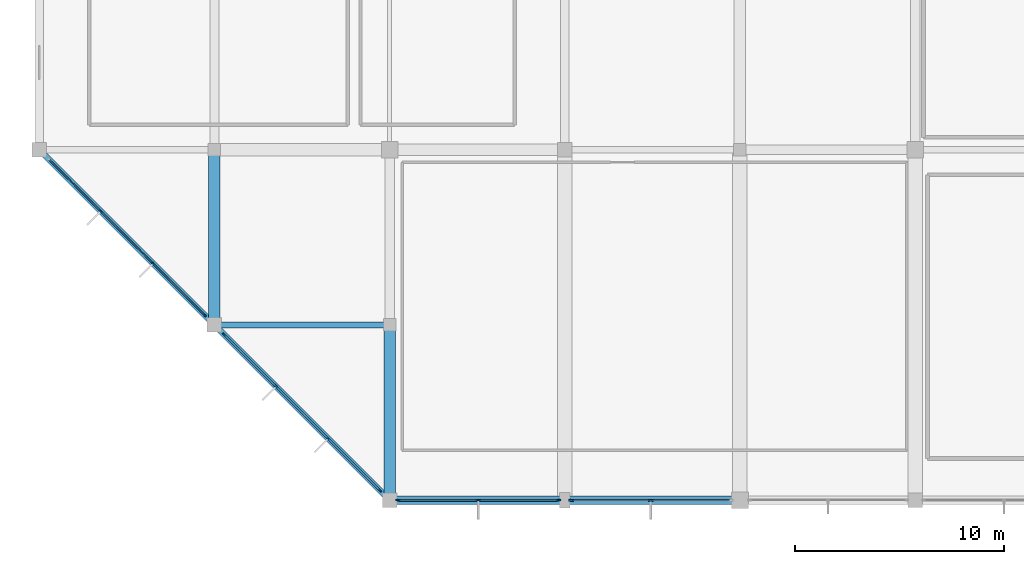
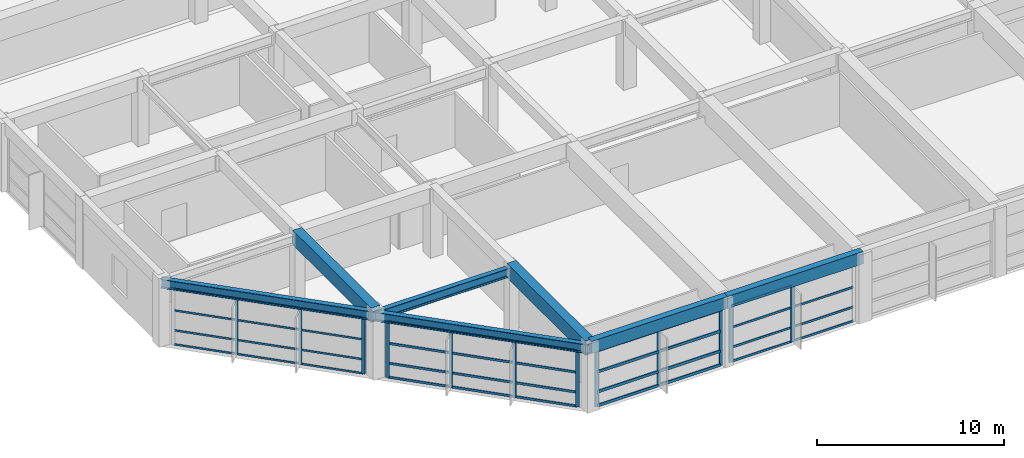
# One storey, part 8 of 65: 51 members, 7 beams, 4 elements without a shape of their own.
"""IFC4 building model written with IfcOpenShell, lengths in metres."""

from ifc_helpers import new_model, si_unit, direction, frame, origin, origin_2d, place, context, subcontext, project, spatial, rectangle, i_section, extrude, material, material_profile, profile_set, type_object, element, aggregate, save


model = new_model("IFC4")

# Units and contexts
model_context = context("Model", 3, precision=1e-05, world=origin(), true_north=direction((0.0, 1.0)))
body_context = subcontext(model_context, "Body", "Model", "MODEL_VIEW")
ifc_project = project(units=[si_unit("LENGTHUNIT", "METRE"), si_unit("AREAUNIT", "SQUARE_METRE"), si_unit("VOLUMEUNIT", "CUBIC_METRE"), si_unit("PLANEANGLEUNIT", "RADIAN"), si_unit("MASSUNIT", "GRAM", prefix="KILO")], contexts=[model_context])

# Site, building, storey
site_placement = place(None, origin())
site = spatial("IfcSite", under=ifc_project, at=site_placement, CompositionType="ELEMENT")
building_placement = place(site_placement, origin())
building = spatial("IfcBuilding", under=site, at=building_placement, Name="Xuanlan Plaza Opera House", CompositionType="ELEMENT")
storey_placement = place(building_placement, frame((0.0, 0.0, 5.39990234375)))
storey = spatial("IfcBuildingStorey", under=building, at=storey_placement, Name="L01", CompositionType="ELEMENT", Elevation=5.39990234375)

# Curtain wall, members
ifc_material_1 = material(Name="Anodised Aluminium 6063-T6 and Low-E Glass", Category="aluminium")
curtain_wall_type_1 = type_object("IfcCurtainWallType", Name="ENV-CW-CW-02", PredefinedType="USERDEFINED", material=ifc_material_1)
curtain_wall_1_placement = place(storey_placement, origin())
curtain_wall_1 = element("IfcCurtainWall", 1, at=curtain_wall_1_placement, inside=storey, type_object=curtain_wall_type_1, Name="Unitised Curtain Wall L01-059", ObjectType="UNITISED CURTAIN WALL", PredefinedType="USERDEFINED")
ifc_material_2 = material(Name="Anodised Aluminium 6063-T6", Category="aluminium")
ifc_material_profile_1 = material_profile(ifc_material_2, rectangle(XDim=0.070068359375, YDim=0.179931640625, at=origin_2d()), Name="ALU-M 70x180")
ifc_profile_set_1 = profile_set([ifc_material_profile_1], Name="Anodised Aluminium 6063-T6")
member_type_1 = type_object("IfcMemberType", Name="ENV-CWM-02", PredefinedType="MULLION", material=ifc_profile_set_1)
member_1_placement = place(storey_placement, frame((2.94970703125, 13.850341796875, 0.0), z_axis=(0.0, 0.0, 1.0), x_axis=(0.707106781187, 0.707106781187, 0.0)))
member_1 = element("IfcMember", 2, at=member_1_placement, type_object=member_type_1, Name="CW-02 mullion 2", PredefinedType="MULLION", context=body_context, shape_type="SweptSolid", body=[
    extrude(rectangle(XDim=0.070068359375, YDim=0.179931640625, at=origin_2d()), origin(), (0.0, 0.0, 1.0), 3.68017578125),
])
member_2_placement = place(storey_placement, frame((5.450439453125, 11.349609375, 0.0), z_axis=(0.0, 0.0, 1.0), x_axis=(0.707106781187, 0.707106781187, 0.0)))
member_2 = element("IfcMember", 3, at=member_2_placement, type_object=member_type_1, Name="CW-02 mullion 3", PredefinedType="MULLION", context=body_context, shape_type="SweptSolid", body=[
    extrude(rectangle(XDim=0.070068359375, YDim=0.179931640625, at=origin_2d()), origin(), (0.0, 0.0, 1.0), 3.68017578125),
])
member_3_placement = place(storey_placement, frame((7.92626953125, 8.873779296875, 0.0), z_axis=(0.0, 0.0, 1.0), x_axis=(0.707106781187, 0.707106781187, 0.0)))
member_3 = element("IfcMember", 4, at=member_3_placement, type_object=member_type_1, Name="CW-02 mullion 4", PredefinedType="MULLION", context=body_context, shape_type="SweptSolid", body=[
    extrude(rectangle(XDim=0.070068359375, YDim=0.179931640625, at=origin_2d()), origin(), (0.0, 0.0, 1.0), 3.68017578125),
])

curtain_wall_type_2 = type_object("IfcCurtainWallType", Name="ENV-CW-CW-03", PredefinedType="USERDEFINED", material=ifc_material_1)
curtain_wall_2_placement = place(storey_placement, origin())
curtain_wall_2 = element("IfcCurtainWall", 5, at=curtain_wall_2_placement, inside=storey, type_object=curtain_wall_type_2, Name="Unitised Curtain Wall L01-060", ObjectType="UNITISED CURTAIN WALL", PredefinedType="USERDEFINED")
ifc_material_profile_2 = material_profile(ifc_material_2, rectangle(XDim=0.074951171875, YDim=0.199951171875, at=origin_2d()), Name="ALU-M 75x200")
ifc_profile_set_2 = profile_set([ifc_material_profile_2], Name="Anodised Aluminium 6063-T6")
member_type_2 = type_object("IfcMemberType", Name="ENV-CWM-03", PredefinedType="MULLION", material=ifc_profile_set_2)
member_4_placement = place(storey_placement, frame((8.87548828125, 7.924560546875, 0.0), z_axis=(0.0, 0.0, 1.0), x_axis=(0.707106781187, 0.707106781187, 0.0)))
member_4 = element("IfcMember", 6, at=member_4_placement, type_object=member_type_2, Name="CW-03 mullion 1", PredefinedType="MULLION", context=body_context, shape_type="SweptSolid", body=[
    extrude(rectangle(XDim=0.074951171875, YDim=0.199951171875, at=origin_2d()), origin(), (0.0, 0.0, 1.0), 3.68017578125),
])
member_5_placement = place(storey_placement, frame((11.349609375, 5.450439453125, 0.0), z_axis=(0.0, 0.0, 1.0), x_axis=(0.707106781187, 0.707106781187, 0.0)))
member_5 = element("IfcMember", 7, at=member_5_placement, type_object=member_type_2, Name="CW-03 mullion 2", PredefinedType="MULLION", context=body_context, shape_type="SweptSolid", body=[
    extrude(rectangle(XDim=0.074951171875, YDim=0.199951171875, at=origin_2d()), origin(), (0.0, 0.0, 1.0), 3.68017578125),
])
member_6_placement = place(storey_placement, frame((13.850341796875, 2.94970703125, 0.0), z_axis=(0.0, 0.0, 1.0), x_axis=(0.707106781187, 0.707106781187, 0.0)))
member_6 = element("IfcMember", 8, at=member_6_placement, type_object=member_type_2, Name="CW-03 mullion 3", PredefinedType="MULLION", context=body_context, shape_type="SweptSolid", body=[
    extrude(rectangle(XDim=0.074951171875, YDim=0.199951171875, at=origin_2d()), origin(), (0.0, 0.0, 1.0), 3.68017578125),
])
member_7_placement = place(storey_placement, frame((16.324462890625, 0.4755859375, 0.0), z_axis=(0.0, 0.0, 1.0), x_axis=(0.707106781187, 0.707106781187, 0.0)))
member_7 = element("IfcMember", 9, at=member_7_placement, type_object=member_type_2, Name="CW-03 mullion 4", PredefinedType="MULLION", context=body_context, shape_type="SweptSolid", body=[
    extrude(rectangle(XDim=0.074951171875, YDim=0.199951171875, at=origin_2d()), origin(), (0.0, 0.0, 1.0), 3.68017578125),
])

curtain_wall_type_3 = type_object("IfcCurtainWallType", Name="ENV-CW-CW-04", PredefinedType="USERDEFINED", material=ifc_material_1)
curtain_wall_3_placement = place(storey_placement, origin())
curtain_wall_3 = element("IfcCurtainWall", 10, at=curtain_wall_3_placement, inside=storey, type_object=curtain_wall_type_3, Name="Unitised Curtain Wall L01-001", ObjectType="UNITISED CURTAIN WALL", PredefinedType="USERDEFINED")
ifc_material_profile_3 = material_profile(ifc_material_2, rectangle(XDim=0.080078125, YDim=0.219970703125, at=origin_2d()), Name="ALU-M 80x220")
ifc_profile_set_3 = profile_set([ifc_material_profile_3], Name="Anodised Aluminium 6063-T6")
member_type_3 = type_object("IfcMemberType", Name="ENV-CWM-04", PredefinedType="MULLION", material=ifc_profile_set_3)
member_8_placement = place(storey_placement, frame((17.2099609375, 0.0, 0.0), z_axis=(0.0, 0.0, 1.0), x_axis=(0.0, 1.0, 0.0)))
member_8 = element("IfcMember", 11, at=member_8_placement, type_object=member_type_3, Name="CW-04 mullion 1", PredefinedType="MULLION", context=body_context, shape_type="SweptSolid", body=[
    extrude(rectangle(XDim=0.080078125, YDim=0.219970703125, at=origin_2d()), origin(), (0.0, 0.0, 1.0), 3.68017578125),
])
member_9_placement = place(storey_placement, frame((21.050048828125, 0.0, 0.0), z_axis=(0.0, 0.0, 1.0), x_axis=(0.0, 1.0, 0.0)))
member_9 = element("IfcMember", 12, at=member_9_placement, type_object=member_type_3, Name="CW-04 mullion 2", PredefinedType="MULLION", context=body_context, shape_type="SweptSolid", body=[
    extrude(rectangle(XDim=0.080078125, YDim=0.219970703125, at=origin_2d()), origin(), (0.0, 0.0, 1.0), 3.68017578125),
])
member_10_placement = place(storey_placement, frame((24.889892578125, 0.0, 0.0), z_axis=(0.0, 0.0, 1.0), x_axis=(0.0, 1.0, 0.0)))
member_10 = element("IfcMember", 13, at=member_10_placement, type_object=member_type_3, Name="CW-04 mullion 3", PredefinedType="MULLION", context=body_context, shape_type="SweptSolid", body=[
    extrude(rectangle(XDim=0.080078125, YDim=0.219970703125, at=origin_2d()), origin(), (0.0, 0.0, 1.0), 3.68017578125),
])

curtain_wall_type_4 = type_object("IfcCurtainWallType", Name="ENV-CW-CW-01", PredefinedType="USERDEFINED", material=ifc_material_1)
curtain_wall_4_placement = place(storey_placement, origin())
curtain_wall_4 = element("IfcCurtainWall", 14, at=curtain_wall_4_placement, inside=storey, type_object=curtain_wall_type_4, Name="Unitised Curtain Wall L01-002", ObjectType="UNITISED CURTAIN WALL", PredefinedType="USERDEFINED")
ifc_material_profile_4 = material_profile(ifc_material_2, rectangle(XDim=0.090087890625, YDim=0.25, at=origin_2d()), Name="ALU-M 90x250")
ifc_profile_set_4 = profile_set([ifc_material_profile_4], Name="Anodised Aluminium 6063-T6")
member_type_4 = type_object("IfcMemberType", Name="ENV-CWM-05", PredefinedType="MULLION", material=ifc_profile_set_4)
member_11_placement = place(storey_placement, frame((25.514892578125, 0.0, 0.0), z_axis=(0.0, 0.0, 1.0), x_axis=(0.0, 1.0, 0.0)))
member_11 = element("IfcMember", 15, at=member_11_placement, type_object=member_type_4, Name="CW-01 mullion 1", PredefinedType="MULLION", context=body_context, shape_type="SweptSolid", body=[
    extrude(rectangle(XDim=0.090087890625, YDim=0.25, at=origin_2d()), origin(), (0.0, 0.0, 1.0), 3.68017578125),
])
member_12_placement = place(storey_placement, frame((29.324951171875, 0.0, 0.0), z_axis=(0.0, 0.0, 1.0), x_axis=(0.0, 1.0, 0.0)))
member_12 = element("IfcMember", 16, at=member_12_placement, type_object=member_type_4, Name="CW-01 mullion 2", PredefinedType="MULLION", context=body_context, shape_type="SweptSolid", body=[
    extrude(rectangle(XDim=0.090087890625, YDim=0.25, at=origin_2d()), origin(), (0.0, 0.0, 1.0), 3.68017578125),
])

# Member
ifc_material_profile_5 = material_profile(ifc_material_2, rectangle(XDim=0.06494140625, YDim=0.1201171875, at=origin_2d()), Name="ALU-T 65x120")
ifc_profile_set_5 = profile_set([ifc_material_profile_5], Name="Anodised Aluminium 6063-T6")
member_type_5 = type_object("IfcMemberType", Name="ENV-CWT-01", PredefinedType="USERDEFINED", material=ifc_profile_set_5)
member_13_placement = place(storey_placement, frame((0.49853515625, 16.301513671875, 0.03271484375), z_axis=(0.707071206172, -0.707142354412, 0.0), x_axis=(0.707142354412, 0.707071206172, 0.0)))
member_13 = element("IfcMember", 17, at=member_13_placement, type_object=member_type_5, Name="CW-02 transom 1.1", ObjectType="TRANSOM", PredefinedType="USERDEFINED", context=body_context, shape_type="SweptSolid", body=[
    extrude(rectangle(XDim=0.06494140625, YDim=0.1201171875, at=origin_2d()), origin(), (0.0, 0.0, 1.0), 3.431396484375),
])

member_14_placement = place(storey_placement, frame((0.49853515625, 16.301513671875, 0.9501953125), z_axis=(0.707071206172, -0.707142354412, 0.0), x_axis=(0.707142354412, 0.707071206172, 0.0)))
member_14 = element("IfcMember", 18, at=member_14_placement, type_object=member_type_5, Name="CW-02 transom 1.2", ObjectType="TRANSOM", PredefinedType="USERDEFINED", context=body_context, shape_type="SweptSolid", body=[
    extrude(rectangle(XDim=0.06494140625, YDim=0.1201171875, at=origin_2d()), origin(), (0.0, 0.0, 1.0), 3.431396484375),
])

member_15_placement = place(storey_placement, frame((0.49853515625, 16.301513671875, 2.25), z_axis=(0.707071206172, -0.707142354412, 0.0), x_axis=(0.707142354412, 0.707071206172, 0.0)))
member_15 = element("IfcMember", 19, at=member_15_placement, type_object=member_type_5, Name="CW-02 transom 1.3", ObjectType="TRANSOM", PredefinedType="USERDEFINED", context=body_context, shape_type="SweptSolid", body=[
    extrude(rectangle(XDim=0.06494140625, YDim=0.1201171875, at=origin_2d()), origin(), (0.0, 0.0, 1.0), 3.431396484375),
])

member_16_placement = place(storey_placement, frame((0.49853515625, 16.301513671875, 3.647705078125), z_axis=(0.707071206172, -0.707142354412, 0.0), x_axis=(0.707142354412, 0.707071206172, 0.0)))
member_16 = element("IfcMember", 20, at=member_16_placement, type_object=member_type_5, Name="CW-02 transom 1.4", ObjectType="TRANSOM", PredefinedType="USERDEFINED", context=body_context, shape_type="SweptSolid", body=[
    extrude(rectangle(XDim=0.06494140625, YDim=0.1201171875, at=origin_2d()), origin(), (0.0, 0.0, 1.0), 3.431396484375),
])

member_17_placement = place(storey_placement, frame((2.974365234375, 13.82568359375, 0.03271484375), z_axis=(0.707106781187, -0.707106781187, 0.0), x_axis=(0.707106781187, 0.707106781187, 0.0)))
member_17 = element("IfcMember", 21, at=member_17_placement, type_object=member_type_5, Name="CW-02 transom 2.1", ObjectType="TRANSOM", PredefinedType="USERDEFINED", context=body_context, shape_type="SweptSolid", body=[
    extrude(rectangle(XDim=0.06494140625, YDim=0.1201171875, at=origin_2d()), origin(), (0.0, 0.0, 1.0), 3.466552734375),
])

member_18_placement = place(storey_placement, frame((2.974365234375, 13.82568359375, 0.9501953125), z_axis=(0.707106781187, -0.707106781187, 0.0), x_axis=(0.707106781187, 0.707106781187, 0.0)))
member_18 = element("IfcMember", 22, at=member_18_placement, type_object=member_type_5, Name="CW-02 transom 2.2", ObjectType="TRANSOM", PredefinedType="USERDEFINED", context=body_context, shape_type="SweptSolid", body=[
    extrude(rectangle(XDim=0.06494140625, YDim=0.1201171875, at=origin_2d()), origin(), (0.0, 0.0, 1.0), 3.466552734375),
])

member_19_placement = place(storey_placement, frame((2.974365234375, 13.82568359375, 2.25), z_axis=(0.707106781187, -0.707106781187, 0.0), x_axis=(0.707106781187, 0.707106781187, 0.0)))
member_19 = element("IfcMember", 23, at=member_19_placement, type_object=member_type_5, Name="CW-02 transom 2.3", ObjectType="TRANSOM", PredefinedType="USERDEFINED", context=body_context, shape_type="SweptSolid", body=[
    extrude(rectangle(XDim=0.06494140625, YDim=0.1201171875, at=origin_2d()), origin(), (0.0, 0.0, 1.0), 3.466552734375),
])

member_20_placement = place(storey_placement, frame((2.974365234375, 13.82568359375, 3.647705078125), z_axis=(0.707106781187, -0.707106781187, 0.0), x_axis=(0.707106781187, 0.707106781187, 0.0)))
member_20 = element("IfcMember", 24, at=member_20_placement, type_object=member_type_5, Name="CW-02 transom 2.4", ObjectType="TRANSOM", PredefinedType="USERDEFINED", context=body_context, shape_type="SweptSolid", body=[
    extrude(rectangle(XDim=0.06494140625, YDim=0.1201171875, at=origin_2d()), origin(), (0.0, 0.0, 1.0), 3.466552734375),
])

member_21_placement = place(storey_placement, frame((5.47509765625, 11.324951171875, 0.03271484375), z_axis=(0.707106781187, -0.707106781187, 0.0), x_axis=(0.707106781187, 0.707106781187, 0.0)))
member_21 = element("IfcMember", 25, at=member_21_placement, type_object=member_type_5, Name="CW-02 transom 3.1", ObjectType="TRANSOM", PredefinedType="USERDEFINED", context=body_context, shape_type="SweptSolid", body=[
    extrude(rectangle(XDim=0.06494140625, YDim=0.1201171875, at=origin_2d()), origin(), (0.0, 0.0, 1.0), 3.431640625),
])

member_22_placement = place(storey_placement, frame((5.47509765625, 11.324951171875, 0.9501953125), z_axis=(0.707106781187, -0.707106781187, 0.0), x_axis=(0.707106781187, 0.707106781187, 0.0)))
member_22 = element("IfcMember", 26, at=member_22_placement, type_object=member_type_5, Name="CW-02 transom 3.2", ObjectType="TRANSOM", PredefinedType="USERDEFINED", context=body_context, shape_type="SweptSolid", body=[
    extrude(rectangle(XDim=0.06494140625, YDim=0.1201171875, at=origin_2d()), origin(), (0.0, 0.0, 1.0), 3.431640625),
])

member_23_placement = place(storey_placement, frame((5.47509765625, 11.324951171875, 2.25), z_axis=(0.707106781187, -0.707106781187, 0.0), x_axis=(0.707106781187, 0.707106781187, 0.0)))
member_23 = element("IfcMember", 27, at=member_23_placement, type_object=member_type_5, Name="CW-02 transom 3.3", ObjectType="TRANSOM", PredefinedType="USERDEFINED", context=body_context, shape_type="SweptSolid", body=[
    extrude(rectangle(XDim=0.06494140625, YDim=0.1201171875, at=origin_2d()), origin(), (0.0, 0.0, 1.0), 3.431640625),
])

member_24_placement = place(storey_placement, frame((5.47509765625, 11.324951171875, 3.647705078125), z_axis=(0.707106781187, -0.707106781187, 0.0), x_axis=(0.707106781187, 0.707106781187, 0.0)))
member_24 = element("IfcMember", 28, at=member_24_placement, type_object=member_type_5, Name="CW-02 transom 3.4", ObjectType="TRANSOM", PredefinedType="USERDEFINED", context=body_context, shape_type="SweptSolid", body=[
    extrude(rectangle(XDim=0.06494140625, YDim=0.1201171875, at=origin_2d()), origin(), (0.0, 0.0, 1.0), 3.431640625),
])

aggregate(curtain_wall_1, [member_1, member_2, member_3, member_13, member_14, member_15, member_16, member_17, member_18, member_19, member_20, member_21, member_22, member_23, member_24])

ifc_material_profile_6 = material_profile(ifc_material_2, rectangle(XDim=0.070068359375, YDim=0.135009765625, at=origin_2d()), Name="ALU-T 70x135")
ifc_profile_set_6 = profile_set([ifc_material_profile_6], Name="Anodised Aluminium 6063-T6")
member_type_6 = type_object("IfcMemberType", Name="ENV-CWT-02", PredefinedType="USERDEFINED", material=ifc_profile_set_6)
member_25_placement = place(storey_placement, frame((25.56005859375, 0.0, 0.03515625), z_axis=(1.0, 0.0, 0.0), x_axis=(0.0, 1.0, 0.0)))
member_25 = element("IfcMember", 29, at=member_25_placement, type_object=member_type_6, Name="CW-01 transom 1.1", ObjectType="TRANSOM", PredefinedType="USERDEFINED", context=body_context, shape_type="SweptSolid", body=[
    extrude(rectangle(XDim=0.070068359375, YDim=0.135009765625, at=origin_2d()), origin(), (0.0, 0.0, 1.0), 3.719970703125),
])

member_26_placement = place(storey_placement, frame((25.56005859375, 0.0, 0.9501953125), z_axis=(1.0, 0.0, 0.0), x_axis=(0.0, 1.0, 0.0)))
member_26 = element("IfcMember", 30, at=member_26_placement, type_object=member_type_6, Name="CW-01 transom 1.2", ObjectType="TRANSOM", PredefinedType="USERDEFINED", context=body_context, shape_type="SweptSolid", body=[
    extrude(rectangle(XDim=0.070068359375, YDim=0.135009765625, at=origin_2d()), origin(), (0.0, 0.0, 1.0), 3.719970703125),
])

member_27_placement = place(storey_placement, frame((25.56005859375, 0.0, 2.25), z_axis=(1.0, 0.0, 0.0), x_axis=(0.0, 1.0, 0.0)))
member_27 = element("IfcMember", 31, at=member_27_placement, type_object=member_type_6, Name="CW-01 transom 1.3", ObjectType="TRANSOM", PredefinedType="USERDEFINED", context=body_context, shape_type="SweptSolid", body=[
    extrude(rectangle(XDim=0.070068359375, YDim=0.135009765625, at=origin_2d()), origin(), (0.0, 0.0, 1.0), 3.719970703125),
])

member_28_placement = place(storey_placement, frame((25.56005859375, 0.0, 3.64501953125), z_axis=(1.0, 0.0, 0.0), x_axis=(0.0, 1.0, 0.0)))
member_28 = element("IfcMember", 32, at=member_28_placement, type_object=member_type_6, Name="CW-01 transom 1.4", ObjectType="TRANSOM", PredefinedType="USERDEFINED", context=body_context, shape_type="SweptSolid", body=[
    extrude(rectangle(XDim=0.070068359375, YDim=0.135009765625, at=origin_2d()), origin(), (0.0, 0.0, 1.0), 3.719970703125),
])

member_29_placement = place(storey_placement, frame((29.3701171875, 0.0, 0.03515625), z_axis=(1.0, 0.0, 0.0), x_axis=(0.0, 1.0, 0.0)))
member_29 = element("IfcMember", 33, at=member_29_placement, type_object=member_type_6, Name="CW-01 transom 2.1", ObjectType="TRANSOM", PredefinedType="USERDEFINED", context=body_context, shape_type="SweptSolid", body=[
    extrude(rectangle(XDim=0.070068359375, YDim=0.135009765625, at=origin_2d()), origin(), (0.0, 0.0, 1.0), 3.719970703125),
])

member_30_placement = place(storey_placement, frame((29.3701171875, 0.0, 0.9501953125), z_axis=(1.0, 0.0, 0.0), x_axis=(0.0, 1.0, 0.0)))
member_30 = element("IfcMember", 34, at=member_30_placement, type_object=member_type_6, Name="CW-01 transom 2.2", ObjectType="TRANSOM", PredefinedType="USERDEFINED", context=body_context, shape_type="SweptSolid", body=[
    extrude(rectangle(XDim=0.070068359375, YDim=0.135009765625, at=origin_2d()), origin(), (0.0, 0.0, 1.0), 3.719970703125),
])

member_31_placement = place(storey_placement, frame((29.3701171875, 0.0, 2.25), z_axis=(1.0, 0.0, 0.0), x_axis=(0.0, 1.0, 0.0)))
member_31 = element("IfcMember", 35, at=member_31_placement, type_object=member_type_6, Name="CW-01 transom 2.3", ObjectType="TRANSOM", PredefinedType="USERDEFINED", context=body_context, shape_type="SweptSolid", body=[
    extrude(rectangle(XDim=0.070068359375, YDim=0.135009765625, at=origin_2d()), origin(), (0.0, 0.0, 1.0), 3.719970703125),
])

aggregate(curtain_wall_4, [member_11, member_12, member_25, member_26, member_27, member_28, member_29, member_30, member_31])

ifc_material_profile_7 = material_profile(ifc_material_2, rectangle(XDim=0.074951171875, YDim=0.14990234375, at=origin_2d()), Name="ALU-T 75x150")
ifc_profile_set_7 = profile_set([ifc_material_profile_7], Name="Anodised Aluminium 6063-T6")
member_type_7 = type_object("IfcMemberType", Name="ENV-CWT-03", PredefinedType="USERDEFINED", material=ifc_profile_set_7)
member_32_placement = place(storey_placement, frame((8.902099609375, 7.89794921875, 0.03759765625), z_axis=(0.707106781187, -0.707106781187, 0.0), x_axis=(0.707106781187, 0.707106781187, 0.0)))
member_32 = element("IfcMember", 36, at=member_32_placement, type_object=member_type_7, Name="CW-03 transom 1.1", ObjectType="TRANSOM", PredefinedType="USERDEFINED", context=body_context, shape_type="SweptSolid", body=[
    extrude(rectangle(XDim=0.074951171875, YDim=0.14990234375, at=origin_2d()), origin(), (0.0, 0.0, 1.0), 3.424072265625),
])

member_33_placement = place(storey_placement, frame((8.902099609375, 7.89794921875, 0.9501953125), z_axis=(0.707106781187, -0.707106781187, 0.0), x_axis=(0.707106781187, 0.707106781187, 0.0)))
member_33 = element("IfcMember", 37, at=member_33_placement, type_object=member_type_7, Name="CW-03 transom 1.2", ObjectType="TRANSOM", PredefinedType="USERDEFINED", context=body_context, shape_type="SweptSolid", body=[
    extrude(rectangle(XDim=0.074951171875, YDim=0.14990234375, at=origin_2d()), origin(), (0.0, 0.0, 1.0), 3.424072265625),
])

member_34_placement = place(storey_placement, frame((8.902099609375, 7.89794921875, 2.25), z_axis=(0.707106781187, -0.707106781187, 0.0), x_axis=(0.707106781187, 0.707106781187, 0.0)))
member_34 = element("IfcMember", 38, at=member_34_placement, type_object=member_type_7, Name="CW-03 transom 1.3", ObjectType="TRANSOM", PredefinedType="USERDEFINED", context=body_context, shape_type="SweptSolid", body=[
    extrude(rectangle(XDim=0.074951171875, YDim=0.14990234375, at=origin_2d()), origin(), (0.0, 0.0, 1.0), 3.424072265625),
])

member_35_placement = place(storey_placement, frame((8.902099609375, 7.89794921875, 3.642578125), z_axis=(0.707106781187, -0.707106781187, 0.0), x_axis=(0.707106781187, 0.707106781187, 0.0)))
member_35 = element("IfcMember", 39, at=member_35_placement, type_object=member_type_7, Name="CW-03 transom 1.4", ObjectType="TRANSOM", PredefinedType="USERDEFINED", context=body_context, shape_type="SweptSolid", body=[
    extrude(rectangle(XDim=0.074951171875, YDim=0.14990234375, at=origin_2d()), origin(), (0.0, 0.0, 1.0), 3.424072265625),
])

member_36_placement = place(storey_placement, frame((11.376220703125, 5.423828125, 0.03759765625), z_axis=(0.707071514895, -0.707142045719, 0.0), x_axis=(0.707142045719, 0.707071514895, 0.0)))
member_36 = element("IfcMember", 40, at=member_36_placement, type_object=member_type_7, Name="CW-03 transom 2.1", ObjectType="TRANSOM", PredefinedType="USERDEFINED", context=body_context, shape_type="SweptSolid", body=[
    extrude(rectangle(XDim=0.074951171875, YDim=0.14990234375, at=origin_2d()), origin(), (0.0, 0.0, 1.0), 3.46142578125),
])

member_37_placement = place(storey_placement, frame((11.376220703125, 5.423828125, 0.9501953125), z_axis=(0.707071514895, -0.707142045719, 0.0), x_axis=(0.707142045719, 0.707071514895, 0.0)))
member_37 = element("IfcMember", 41, at=member_37_placement, type_object=member_type_7, Name="CW-03 transom 2.2", ObjectType="TRANSOM", PredefinedType="USERDEFINED", context=body_context, shape_type="SweptSolid", body=[
    extrude(rectangle(XDim=0.074951171875, YDim=0.14990234375, at=origin_2d()), origin(), (0.0, 0.0, 1.0), 3.46142578125),
])

member_38_placement = place(storey_placement, frame((11.376220703125, 5.423828125, 2.25), z_axis=(0.707071514895, -0.707142045719, 0.0), x_axis=(0.707142045719, 0.707071514895, 0.0)))
member_38 = element("IfcMember", 42, at=member_38_placement, type_object=member_type_7, Name="CW-03 transom 2.3", ObjectType="TRANSOM", PredefinedType="USERDEFINED", context=body_context, shape_type="SweptSolid", body=[
    extrude(rectangle(XDim=0.074951171875, YDim=0.14990234375, at=origin_2d()), origin(), (0.0, 0.0, 1.0), 3.46142578125),
])

member_39_placement = place(storey_placement, frame((11.376220703125, 5.423828125, 3.642578125), z_axis=(0.707071514895, -0.707142045719, 0.0), x_axis=(0.707142045719, 0.707071514895, 0.0)))
member_39 = element("IfcMember", 43, at=member_39_placement, type_object=member_type_7, Name="CW-03 transom 2.4", ObjectType="TRANSOM", PredefinedType="USERDEFINED", context=body_context, shape_type="SweptSolid", body=[
    extrude(rectangle(XDim=0.074951171875, YDim=0.14990234375, at=origin_2d()), origin(), (0.0, 0.0, 1.0), 3.46142578125),
])

member_40_placement = place(storey_placement, frame((13.876953125, 2.923095703125, 0.03759765625), z_axis=(0.707071127246, -0.70714243333, 0.0), x_axis=(0.70714243333, 0.707071127246, 0.0)))
member_40 = element("IfcMember", 44, at=member_40_placement, type_object=member_type_7, Name="CW-03 transom 3.1", ObjectType="TRANSOM", PredefinedType="USERDEFINED", context=body_context, shape_type="SweptSolid", body=[
    extrude(rectangle(XDim=0.074951171875, YDim=0.14990234375, at=origin_2d()), origin(), (0.0, 0.0, 1.0), 3.423828125),
])

member_41_placement = place(storey_placement, frame((13.876953125, 2.923095703125, 0.9501953125), z_axis=(0.707071127246, -0.70714243333, 0.0), x_axis=(0.70714243333, 0.707071127246, 0.0)))
member_41 = element("IfcMember", 45, at=member_41_placement, type_object=member_type_7, Name="CW-03 transom 3.2", ObjectType="TRANSOM", PredefinedType="USERDEFINED", context=body_context, shape_type="SweptSolid", body=[
    extrude(rectangle(XDim=0.074951171875, YDim=0.14990234375, at=origin_2d()), origin(), (0.0, 0.0, 1.0), 3.423828125),
])

member_42_placement = place(storey_placement, frame((13.876953125, 2.923095703125, 2.25), z_axis=(0.707071127246, -0.70714243333, 0.0), x_axis=(0.70714243333, 0.707071127246, 0.0)))
member_42 = element("IfcMember", 46, at=member_42_placement, type_object=member_type_7, Name="CW-03 transom 3.3", ObjectType="TRANSOM", PredefinedType="USERDEFINED", context=body_context, shape_type="SweptSolid", body=[
    extrude(rectangle(XDim=0.074951171875, YDim=0.14990234375, at=origin_2d()), origin(), (0.0, 0.0, 1.0), 3.423828125),
])

member_43_placement = place(storey_placement, frame((13.876953125, 2.923095703125, 3.642578125), z_axis=(0.707071127246, -0.70714243333, 0.0), x_axis=(0.70714243333, 0.707071127246, 0.0)))
member_43 = element("IfcMember", 47, at=member_43_placement, type_object=member_type_7, Name="CW-03 transom 3.4", ObjectType="TRANSOM", PredefinedType="USERDEFINED", context=body_context, shape_type="SweptSolid", body=[
    extrude(rectangle(XDim=0.074951171875, YDim=0.14990234375, at=origin_2d()), origin(), (0.0, 0.0, 1.0), 3.423828125),
])

aggregate(curtain_wall_2, [member_4, member_5, member_6, member_7, member_32, member_33, member_34, member_35, member_36, member_37, member_38, member_39, member_40, member_41, member_42, member_43])

ifc_material_profile_8 = material_profile(ifc_material_2, rectangle(XDim=0.090087890625, YDim=0.179931640625, at=origin_2d()), Name="ALU-T 90x180")
ifc_profile_set_8 = profile_set([ifc_material_profile_8], Name="Anodised Aluminium 6063-T6")
member_type_8 = type_object("IfcMemberType", Name="ENV-CWT-05", PredefinedType="USERDEFINED", material=ifc_profile_set_8)
member_44_placement = place(storey_placement, frame((17.25, 0.0, 0.045166015625), z_axis=(1.0, 0.0, 0.0), x_axis=(0.0, 1.0, 0.0)))
member_44 = element("IfcMember", 48, at=member_44_placement, type_object=member_type_8, Name="CW-04 transom 1.1", ObjectType="TRANSOM", PredefinedType="USERDEFINED", context=body_context, shape_type="SweptSolid", body=[
    extrude(rectangle(XDim=0.090087890625, YDim=0.179931640625, at=origin_2d()), origin(), (0.0, 0.0, 1.0), 3.760009765625),
])

member_45_placement = place(storey_placement, frame((17.25, 0.0, 0.9501953125), z_axis=(1.0, 0.0, 0.0), x_axis=(0.0, 1.0, 0.0)))
member_45 = element("IfcMember", 49, at=member_45_placement, type_object=member_type_8, Name="CW-04 transom 1.2", ObjectType="TRANSOM", PredefinedType="USERDEFINED", context=body_context, shape_type="SweptSolid", body=[
    extrude(rectangle(XDim=0.090087890625, YDim=0.179931640625, at=origin_2d()), origin(), (0.0, 0.0, 1.0), 3.760009765625),
])

member_46_placement = place(storey_placement, frame((17.25, 0.0, 2.25), z_axis=(1.0, 0.0, 0.0), x_axis=(0.0, 1.0, 0.0)))
member_46 = element("IfcMember", 50, at=member_46_placement, type_object=member_type_8, Name="CW-04 transom 1.3", ObjectType="TRANSOM", PredefinedType="USERDEFINED", context=body_context, shape_type="SweptSolid", body=[
    extrude(rectangle(XDim=0.090087890625, YDim=0.179931640625, at=origin_2d()), origin(), (0.0, 0.0, 1.0), 3.760009765625),
])

member_47_placement = place(storey_placement, frame((17.25, 0.0, 3.635009765625), z_axis=(1.0, 0.0, 0.0), x_axis=(0.0, 1.0, 0.0)))
member_47 = element("IfcMember", 51, at=member_47_placement, type_object=member_type_8, Name="CW-04 transom 1.4", ObjectType="TRANSOM", PredefinedType="USERDEFINED", context=body_context, shape_type="SweptSolid", body=[
    extrude(rectangle(XDim=0.090087890625, YDim=0.179931640625, at=origin_2d()), origin(), (0.0, 0.0, 1.0), 3.760009765625),
])

member_48_placement = place(storey_placement, frame((21.090087890625, 0.0, 0.045166015625), z_axis=(1.0, 0.0, 0.0), x_axis=(0.0, 1.0, 0.0)))
member_48 = element("IfcMember", 52, at=member_48_placement, type_object=member_type_8, Name="CW-04 transom 2.1", ObjectType="TRANSOM", PredefinedType="USERDEFINED", context=body_context, shape_type="SweptSolid", body=[
    extrude(rectangle(XDim=0.090087890625, YDim=0.179931640625, at=origin_2d()), origin(), (0.0, 0.0, 1.0), 3.760009765625),
])

member_49_placement = place(storey_placement, frame((21.090087890625, 0.0, 0.9501953125), z_axis=(1.0, 0.0, 0.0), x_axis=(0.0, 1.0, 0.0)))
member_49 = element("IfcMember", 53, at=member_49_placement, type_object=member_type_8, Name="CW-04 transom 2.2", ObjectType="TRANSOM", PredefinedType="USERDEFINED", context=body_context, shape_type="SweptSolid", body=[
    extrude(rectangle(XDim=0.090087890625, YDim=0.179931640625, at=origin_2d()), origin(), (0.0, 0.0, 1.0), 3.760009765625),
])

member_50_placement = place(storey_placement, frame((21.090087890625, 0.0, 2.25), z_axis=(1.0, 0.0, 0.0), x_axis=(0.0, 1.0, 0.0)))
member_50 = element("IfcMember", 54, at=member_50_placement, type_object=member_type_8, Name="CW-04 transom 2.3", ObjectType="TRANSOM", PredefinedType="USERDEFINED", context=body_context, shape_type="SweptSolid", body=[
    extrude(rectangle(XDim=0.090087890625, YDim=0.179931640625, at=origin_2d()), origin(), (0.0, 0.0, 1.0), 3.760009765625),
])

member_51_placement = place(storey_placement, frame((21.090087890625, 0.0, 3.635009765625), z_axis=(1.0, 0.0, 0.0), x_axis=(0.0, 1.0, 0.0)))
member_51 = element("IfcMember", 55, at=member_51_placement, type_object=member_type_8, Name="CW-04 transom 2.4", ObjectType="TRANSOM", PredefinedType="USERDEFINED", context=body_context, shape_type="SweptSolid", body=[
    extrude(rectangle(XDim=0.090087890625, YDim=0.179931640625, at=origin_2d()), origin(), (0.0, 0.0, 1.0), 3.760009765625),
])

aggregate(curtain_wall_3, [member_8, member_9, member_10, member_44, member_45, member_46, member_47, member_48, member_49, member_50, member_51])

# Beams
ifc_material_3 = material(Name="Concrete C50", Category="concrete")
ifc_material_profile_9 = material_profile(ifc_material_3, rectangle(XDim=0.550048828125, YDim=0.949951171875, at=origin_2d()), Name="RC-BM 550x950")
ifc_profile_set_9 = profile_set([ifc_material_profile_9], Name="Concrete C50")
beam_type_1 = type_object("IfcBeamType", Name="STR-BM-B-02", PredefinedType="BEAM", material=ifc_profile_set_9)
beam_1_placement = place(storey_placement, frame((8.39990234375, 8.39990234375, 4.025146484375), z_axis=(0.0, 1.0, 0.0), x_axis=(-1.0, 0.0, 0.0)))
element("IfcBeam", 56, at=beam_1_placement, inside=storey, type_object=beam_type_1, Name="Grid Beam Y L01 2/B-C", PredefinedType="BEAM", context=body_context, shape_type="SweptSolid", body=[
    extrude(rectangle(XDim=0.550048828125, YDim=0.949951171875, at=origin_2d()), origin(), (0.0, 0.0, 1.0), 8.400146484375),
])
beam_2_placement = place(storey_placement, frame((16.800048828125, 0.0, 4.025146484375), z_axis=(0.0, 1.0, 0.0), x_axis=(-1.0, 0.0, 0.0)))
element("IfcBeam", 57, at=beam_2_placement, inside=storey, type_object=beam_type_1, Name="Grid Beam Y L01 3/A-B", PredefinedType="BEAM", context=body_context, shape_type="SweptSolid", body=[
    extrude(rectangle(XDim=0.550048828125, YDim=0.949951171875, at=origin_2d()), origin(), (0.0, 0.0, 1.0), 8.39990234375),
])
ifc_material_4 = material(Name="Steel Q355B", Category="steel")
ifc_material_profile_10 = material_profile(ifc_material_4, i_section(OverallWidth=0.300048828125, OverallDepth=0.587890625, WebThickness=0.011962890625, FlangeThickness=0.02001953125, FilletRadius=0.02392578125, at=origin_2d()), Name="HM 588x300x12x20")
ifc_profile_set_10 = profile_set([ifc_material_profile_10], Name="Steel Q355B")
beam_type_2 = type_object("IfcBeamType", Name="STR-BM-SB-06", PredefinedType="BEAM", material=ifc_profile_set_10)
beam_3_placement = place(storey_placement, frame((8.39990234375, 8.39990234375, 3.941162109375), z_axis=(1.0, 0.0, 0.0), x_axis=(0.0, 1.0, 0.0)))
element("IfcBeam", 58, at=beam_3_placement, inside=storey, type_object=beam_type_2, Name="Grid Beam X L01 2-3/B", PredefinedType="BEAM", context=body_context, shape_type="SweptSolid", body=[
    extrude(i_section(OverallWidth=0.300048828125, OverallDepth=0.587890625, WebThickness=0.011962890625, FlangeThickness=0.02001953125, FilletRadius=0.02392578125, at=origin_2d()), origin(), (0.0, 0.0, 1.0), 8.400146484375),
])
ifc_material_5 = material(Name="Concrete C40", Category="concrete")
ifc_material_profile_11 = material_profile(ifc_material_5, rectangle(XDim=0.39990234375, YDim=0.800048828125, at=origin_2d()), Name="RC-SPD 400x800")
ifc_profile_set_11 = profile_set([ifc_material_profile_11], Name="Concrete C40")
beam_type_3 = type_object("IfcBeamType", Name="STR-BM-SP-01", PredefinedType="SPANDREL", material=ifc_profile_set_11)
beam_4_placement = place(storey_placement, frame((16.800048828125, 0.0, 4.10009765625), z_axis=(1.0, 0.0, 0.0), x_axis=(0.0, 1.0, 0.0)))
element("IfcBeam", 59, at=beam_4_placement, inside=storey, type_object=beam_type_3, Name="Grid Beam X L01 3-4/A", PredefinedType="SPANDREL", context=body_context, shape_type="SweptSolid", body=[
    extrude(rectangle(XDim=0.39990234375, YDim=0.800048828125, at=origin_2d()), origin(), (0.0, 0.0, 1.0), 8.39990234375),
])
beam_5_placement = place(storey_placement, frame((25.199951171875, 0.0, 4.10009765625), z_axis=(1.0, 0.0, 0.0), x_axis=(0.0, 1.0, 0.0)))
element("IfcBeam", 60, at=beam_5_placement, inside=storey, type_object=beam_type_3, Name="Grid Beam X L01 4-5/A", PredefinedType="SPANDREL", context=body_context, shape_type="SweptSolid", body=[
    extrude(rectangle(XDim=0.39990234375, YDim=0.800048828125, at=origin_2d()), origin(), (0.0, 0.0, 1.0), 8.400146484375),
])
ifc_material_profile_12 = material_profile(ifc_material_4, i_section(OverallWidth=0.300048828125, OverallDepth=0.587890625, WebThickness=0.011962890625, FlangeThickness=0.02001953125, FilletRadius=0.02392578125, at=origin_2d()), Name="HM 588x300x12x20")
ifc_profile_set_12 = profile_set([ifc_material_profile_12], Name="Steel Q355B")
beam_type_4 = type_object("IfcBeamType", Name="STR-BM-SP-03", PredefinedType="SPANDREL", material=ifc_profile_set_12)
for number, where, z_axis, x_axis, name in (
    (61, (16.800048828125, 0.0, 3.941162109375), (-0.707117056885, 0.707096505339, 0.0), (-0.707096505339, -0.707117056885, 0.0), "Faceted Edge Spandrel L01 CH03A"),
    (62, (8.39990234375, 8.39990234375, 3.941162109375), (-0.707096505339, 0.707117056885, 0.0), (-0.707117056885, -0.707096505339, 0.0), "Faceted Edge Spandrel L01 CH03B"),
):
    element("IfcBeam", number, at=place(storey_placement, frame(where, z_axis=z_axis, x_axis=x_axis)), inside=storey, type_object=beam_type_4, Name=name, PredefinedType="SPANDREL", context=body_context, shape_type="SweptSolid", body=[
        extrude(i_section(OverallWidth=0.300048828125, OverallDepth=0.587890625, WebThickness=0.011962890625, FlangeThickness=0.02001953125, FilletRadius=0.02392578125, at=origin_2d()), origin(), (0.0, 0.0, 1.0), 11.87939453125),
    ])

save(model, "model.ifc")
